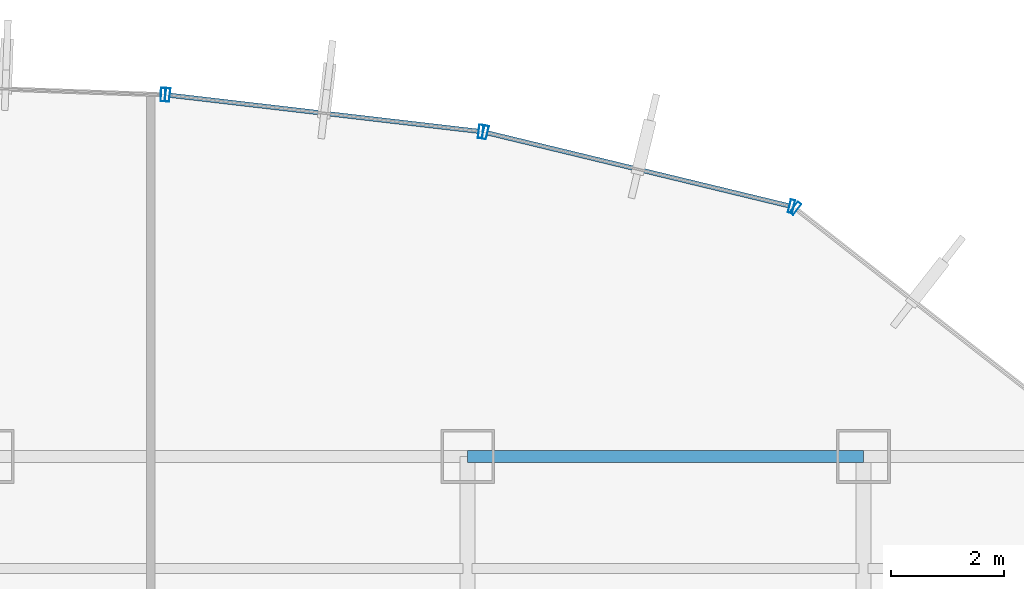
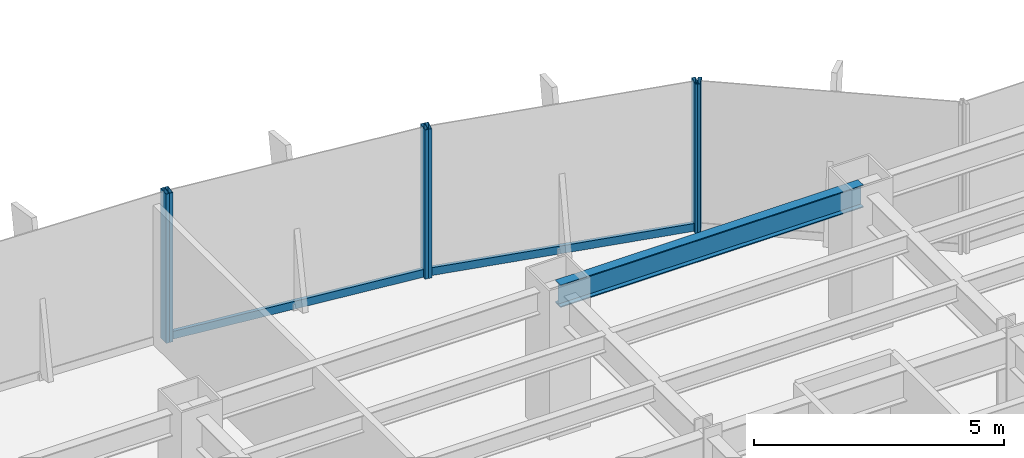
# One storey, part 14 of 22: 8 members, 1 beam, 4 elements without a shape of their own.
"""IFC4 building model written with IfcOpenShell, lengths in metres."""

from ifc_helpers import new_model, si_unit, derived_unit, direction, frame, origin, origin_2d, place, context, subcontext, project, spatial, hollow_rectangle, i_section, extrude, source, transform, mapped, material, material_profile, profile_set, type_object, element, aggregate, save


model = new_model("IFC4")

# Units and contexts
model_context = context("Model", 3, precision=1e-05, world=origin(), true_north=direction((0.0, 1.0)))
body_context = subcontext(model_context, "Body", "Model", "MODEL_VIEW")
ifc_project = project(units=[si_unit("LENGTHUNIT", "METRE"), si_unit("AREAUNIT", "SQUARE_METRE"), si_unit("VOLUMEUNIT", "CUBIC_METRE"), si_unit("PLANEANGLEUNIT", "RADIAN"), si_unit("MASSUNIT", "GRAM", prefix="KILO"), derived_unit("THERMALTRANSMITTANCEUNIT", [(si_unit("POWERUNIT", "WATT"), 1), (si_unit("LENGTHUNIT", "METRE"), -2), (si_unit("THERMODYNAMICTEMPERATUREUNIT", "KELVIN"), -1)])], contexts=[model_context])

# Site, building, storey
site_placement = place(None, origin())
site = spatial("IfcSite", under=ifc_project, at=site_placement, CompositionType="ELEMENT")
building_placement = place(site_placement, origin())
building = spatial("IfcBuilding", under=site, at=building_placement, Name="Skarnbrae Concourse Arena and Tower", CompositionType="ELEMENT")
storey_placement = place(building_placement, frame((0.0, 0.0, 32.5)))
storey = spatial("IfcBuildingStorey", under=building, at=storey_placement, Name="L06", CompositionType="ELEMENT", Elevation=32.5)

# Beam
ifc_material_1 = material(Name="Steel CSA G40.21 350W", Category="steel")
ifc_material_profile_1 = material_profile(ifc_material_1, i_section(OverallWidth=0.214111328125, OverallDepth=0.549072265625, WebThickness=0.0146484375, FlangeThickness=0.023681640625, at=origin_2d()), Name="W530X138")
ifc_profile_set_1 = profile_set([ifc_material_profile_1], Name="Steel CSA G40.21 350W")
beam_type = type_object("IfcBeamType", Name="BM-SPAN-W530X138", PredefinedType="SPANDREL", material=ifc_profile_set_1)
shared_shape_1 = source(origin(), body_context, "Body", "SweptSolid", [
    extrude(i_section(OverallWidth=0.214111328125, OverallDepth=0.549072265625, WebThickness=0.0146484375, FlangeThickness=0.023681640625, at=origin_2d()), origin(), (0.0, 0.0, 1.0), 7.0),
])
beam_placement = place(storey_placement, frame((42.0, 40.39990234375, 3.12548828125), z_axis=(1.0, 0.0, 0.0), x_axis=(0.0, 1.0, 0.0)))
element("IfcBeam", 1, at=beam_placement, inside=storey, type_object=beam_type, Name="L06 Perimeter spandrel Y40.4-6", PredefinedType="SPANDREL", context=body_context, shape_type="MappedRepresentation", body=[
    mapped(shared_shape_1, transform((0.0, 0.0, 0.0))),
])

# Curtain wall, member
ifc_material_2 = material(Name="Bronze anodised aluminium 6063-T6", Category="aluminium")
curtain_wall_type = type_object("IfcCurtainWallType", Name="CW-SYS-02-LOWZONE", PredefinedType="USERDEFINED", material=ifc_material_2)
curtain_wall_1_placement = place(storey_placement, origin())
curtain_wall_1 = element("IfcCurtainWall", 2, at=curtain_wall_1_placement, inside=storey, type_object=curtain_wall_type, Name="L06 Unitised curtain wall CW-L06-E08", ObjectType="UNITISED CURTAIN WALL", PredefinedType="USERDEFINED")
ifc_material_profile_2 = material_profile(ifc_material_2, hollow_rectangle(XDim=0.080078125, YDim=0.239990234375, WallThickness=0.0048828125, at=origin_2d()), Name="ALU-MULL-80X240")
ifc_profile_set_2 = profile_set([ifc_material_profile_2], Name="Bronze anodised aluminium 6063-T6")
member_type_1 = type_object("IfcMemberType", Name="CWM-CW-02", PredefinedType="MULLION", material=ifc_profile_set_2)
shared_shape_2 = source(origin(), body_context, "Body", "SweptSolid", [
    extrude(hollow_rectangle(XDim=0.080078125, YDim=0.239990234375, WallThickness=0.0048828125, at=origin_2d()), origin(), (0.0, 0.0, 1.0), 3.64990234375),
])
member_1_placement = place(storey_placement, frame((47.7978515625, 44.787109375, 0.0), z_axis=(0.0, 0.0, 1.0), x_axis=(-0.787651726054, 0.616120733658, 0.0)))
member_1 = element("IfcMember", 3, at=member_1_placement, type_object=member_type_1, Name="CW-L06-E08 Mullion 2", PredefinedType="MULLION", context=body_context, shape_type="MappedRepresentation", body=[
    mapped(shared_shape_2, transform((0.0, 0.0, 0.0))),
])
aggregate(curtain_wall_1, [member_1])

# Curtain wall, members
curtain_wall_2_placement = place(storey_placement, origin())
curtain_wall_2 = element("IfcCurtainWall", 4, at=curtain_wall_2_placement, inside=storey, type_object=curtain_wall_type, Name="L06 Unitised curtain wall CW-L06-E09", ObjectType="UNITISED CURTAIN WALL", PredefinedType="USERDEFINED")
member_2_placement = place(storey_placement, frame((47.727294921875, 44.821044921875, 0.0), z_axis=(0.0, 0.0, 1.0), x_axis=(-0.971973721569, 0.235089524607, 0.0)))
member_2 = element("IfcMember", 5, at=member_2_placement, type_object=member_type_1, Name="CW-L06-E09 Mullion 1", PredefinedType="MULLION", context=body_context, shape_type="MappedRepresentation", body=[
    mapped(shared_shape_2, transform((0.0, 0.0, 0.0))),
])
member_3_placement = place(storey_placement, frame((42.311279296875, 46.131103515625, 0.0), z_axis=(0.0, 0.0, 1.0), x_axis=(-0.971973721569, 0.235089524607, 0.0)))
member_3 = element("IfcMember", 6, at=member_3_placement, type_object=member_type_1, Name="CW-L06-E09 Mullion 2", PredefinedType="MULLION", context=body_context, shape_type="MappedRepresentation", body=[
    mapped(shared_shape_2, transform((0.0, 0.0, 0.0))),
])

curtain_wall_3_placement = place(storey_placement, origin())
curtain_wall_3 = element("IfcCurtainWall", 7, at=curtain_wall_3_placement, inside=storey, type_object=curtain_wall_type, Name="L06 Unitised curtain wall CW-L06-E10", ObjectType="UNITISED CURTAIN WALL", PredefinedType="USERDEFINED")
member_4_placement = place(storey_placement, frame((42.232666015625, 46.14501953125, 0.0), z_axis=(0.0, 0.0, 1.0), x_axis=(-0.99324457001, 0.116039752435, 0.0)))
member_4 = element("IfcMember", 8, at=member_4_placement, type_object=member_type_1, Name="CW-L06-E10 Mullion 1", PredefinedType="MULLION", context=body_context, shape_type="MappedRepresentation", body=[
    mapped(shared_shape_2, transform((0.0, 0.0, 0.0))),
])
member_5_placement = place(storey_placement, frame((36.693603515625, 46.792236328125, 0.0), z_axis=(0.0, 0.0, 1.0), x_axis=(-0.99324457001, 0.116039752435, 0.0)))
member_5 = element("IfcMember", 9, at=member_5_placement, type_object=member_type_1, Name="CW-L06-E10 Mullion 2", PredefinedType="MULLION", context=body_context, shape_type="MappedRepresentation", body=[
    mapped(shared_shape_2, transform((0.0, 0.0, 0.0))),
])

# Curtain wall, member
curtain_wall_4_placement = place(storey_placement, origin())
curtain_wall_4 = element("IfcCurtainWall", 10, at=curtain_wall_4_placement, inside=storey, type_object=curtain_wall_type, Name="L06 Unitised curtain wall CW-L06-E11", ObjectType="UNITISED CURTAIN WALL", PredefinedType="USERDEFINED")
member_6_placement = place(storey_placement, frame((36.614013671875, 46.79833984375, 0.0), z_axis=(0.0, 0.0, 1.0), x_axis=(-0.999355425188, 0.035898943527, 0.0)))
member_6 = element("IfcMember", 11, at=member_6_placement, type_object=member_type_1, Name="CW-L06-E11 Mullion 1", PredefinedType="MULLION", context=body_context, shape_type="MappedRepresentation", body=[
    mapped(shared_shape_2, transform((0.0, 0.0, 0.0))),
])
aggregate(curtain_wall_4, [member_6])

# Member
ifc_material_profile_3 = material_profile(ifc_material_2, hollow_rectangle(XDim=0.080078125, YDim=0.18994140625, WallThickness=0.0048828125, at=origin_2d()), Name="ALU-TRAN-80X190")
ifc_profile_set_3 = profile_set([ifc_material_profile_3], Name="Bronze anodised aluminium 6063-T6")
member_type_2 = type_object("IfcMemberType", Name="CWT-CW-02", PredefinedType="USERDEFINED", material=ifc_profile_set_3)
shared_shape_3 = source(origin(), body_context, "Body", "SweptSolid", [
    extrude(hollow_rectangle(XDim=0.080078125, YDim=0.18994140625, WallThickness=0.0048828125, at=origin_2d()), origin(), (0.0, 0.0, 1.0), 5.4921875),
])
member_7_placement = place(storey_placement, frame((47.6884765625, 44.83056640625, 0.094970703125), z_axis=(-0.971980728004, 0.235060554728, 0.0), x_axis=(-0.235060554728, -0.971980728004, 0.0)))
member_7 = element("IfcMember", 12, at=member_7_placement, type_object=member_type_2, Name="CW-L06-E09 Transom 1", ObjectType="TRANSOM", PredefinedType="USERDEFINED", context=body_context, shape_type="MappedRepresentation", body=[
    mapped(shared_shape_3, transform((0.0, 0.0, 0.0))),
])

aggregate(curtain_wall_2, [member_2, member_3, member_7])

shared_shape_4 = source(origin(), body_context, "Body", "SweptSolid", [
    extrude(hollow_rectangle(XDim=0.080078125, YDim=0.18994140625, WallThickness=0.0048828125, at=origin_2d()), origin(), (0.0, 0.0, 1.0), 5.49658203125),
])
member_8_placement = place(storey_placement, frame((42.19287109375, 46.14990234375, 0.094970703125), z_axis=(-0.993247281455, 0.116016541417, 0.0), x_axis=(-0.116016541417, -0.993247281455, 0.0)))
member_8 = element("IfcMember", 13, at=member_8_placement, type_object=member_type_2, Name="CW-L06-E10 Transom 1", ObjectType="TRANSOM", PredefinedType="USERDEFINED", context=body_context, shape_type="MappedRepresentation", body=[
    mapped(shared_shape_4, transform((0.0, 0.0, 0.0))),
])

aggregate(curtain_wall_3, [member_4, member_5, member_8])

save(model, "model.ifc")
